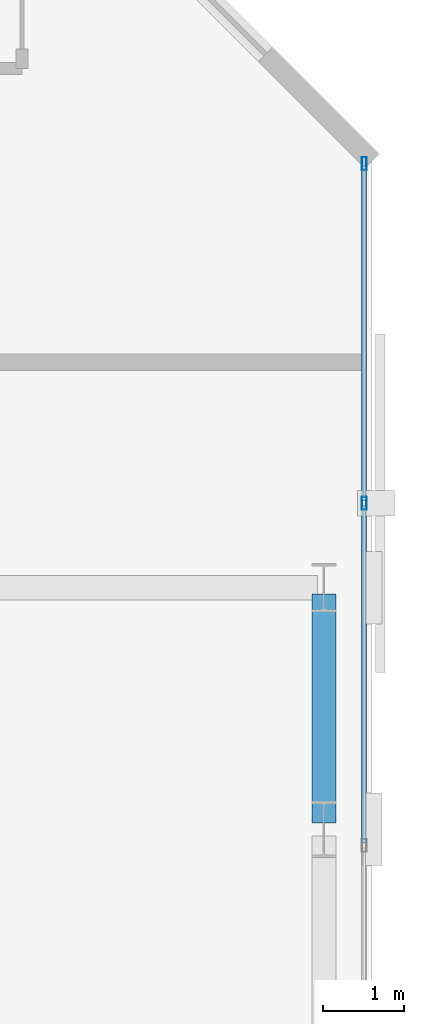
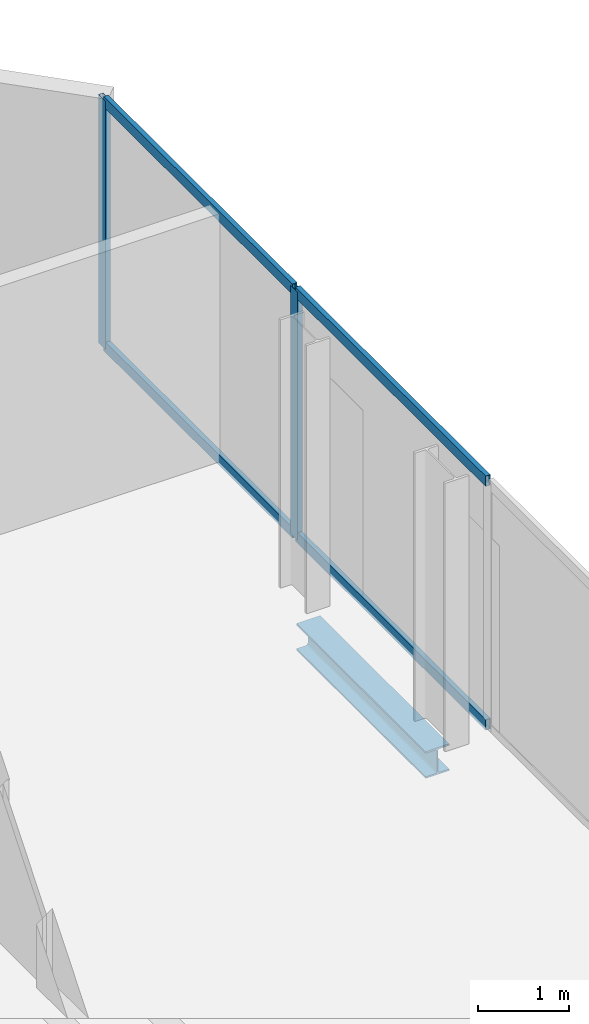
# One storey, part 26 of 33: 6 members, 1 beam, 1 element without a shape of its own.
"""IFC4 building model written with IfcOpenShell, lengths in metres."""

from ifc_helpers import new_model, si_unit, direction, frame, origin, origin_2d, place, context, subcontext, project, spatial, hollow_rectangle, i_section, extrude, material, layer, layer_set, material_profile, profile_set, type_object, element, aggregate, save


model = new_model("IFC4")

# Units and contexts
model_context = context("Model", 3, precision=1e-05, world=origin(), true_north=direction((0.0, 1.0)))
body_context = subcontext(model_context, "Body", "Model", "MODEL_VIEW")
ifc_project = project(units=[si_unit("LENGTHUNIT", "METRE"), si_unit("AREAUNIT", "SQUARE_METRE"), si_unit("VOLUMEUNIT", "CUBIC_METRE"), si_unit("PLANEANGLEUNIT", "RADIAN"), si_unit("MASSUNIT", "GRAM", prefix="KILO")], contexts=[model_context])

# Site, building, storey
site_placement = place(None, origin())
site = spatial("IfcSite", under=ifc_project, at=site_placement, CompositionType="ELEMENT")
building_placement = place(site_placement, origin())
building = spatial("IfcBuilding", under=site, at=building_placement, Name="Catumbela Crestline Tower", CompositionType="ELEMENT")
storey_placement = place(building_placement, frame((0.0, 0.0, 118.8)))
storey = spatial("IfcBuildingStorey", under=building, at=storey_placement, Name="L30", CompositionType="ELEMENT", Elevation=118.8)

# Curtain wall, members
ifc_material_1 = material(Name="Aluminium alloy AW-6060-T66", Category="aluminium")
ifc_layer = layer(ifc_material_1, 0.18, Name="Aluminium alloy AW-6060-T66")
ifc_layer_set = layer_set([ifc_layer], Name="Aluminium alloy AW-6060-T66")
curtain_wall_type = type_object("IfcCurtainWallType", Name="CWU-Z2", PredefinedType="USERDEFINED", material=ifc_layer_set)
curtain_wall_placement = place(storey_placement, origin())
curtain_wall = element("IfcCurtainWall", 1, at=curtain_wall_placement, inside=storey, type_object=curtain_wall_type, Name="L30 Unitised Curtain Wall CW-L30-E5S1", ObjectType="UNITISED", PredefinedType="USERDEFINED")
ifc_material_profile_1 = material_profile(ifc_material_1, hollow_rectangle(XDim=0.06, YDim=0.16, WallThickness=0.004, at=origin_2d()), Name="ALU 160x60x4")
ifc_profile_set_1 = profile_set([ifc_material_profile_1], Name="Aluminium alloy AW-6060-T66")
member_type_1 = type_object("IfcMemberType", Name="MUL-160X60", PredefinedType="MULLION", material=ifc_profile_set_1)
member_1_placement = place(storey_placement, frame((50.9, 40.25, 0.0), z_axis=(0.0, 0.0, 1.0), x_axis=(-1.0, 0.0, 0.0)))
member_1 = element("IfcMember", 2, at=member_1_placement, type_object=member_type_1, Name="CWU-Z2 mullion 4", PredefinedType="MULLION", context=body_context, shape_type="SweptSolid", body=[
    extrude(hollow_rectangle(XDim=0.06, YDim=0.16, WallThickness=0.004, at=origin_2d()), origin(), (0.0, 0.0, 1.0), 3.33),
])
member_2_placement = place(storey_placement, frame((50.9, 44.4675, 0.0), z_axis=(0.0, 0.0, 1.0), x_axis=(-1.0, 0.0, 0.0)))
member_2 = element("IfcMember", 3, at=member_2_placement, type_object=member_type_1, Name="CWU-Z2 mullion 5", PredefinedType="MULLION", context=body_context, shape_type="SweptSolid", body=[
    extrude(hollow_rectangle(XDim=0.06, YDim=0.16, WallThickness=0.004, at=origin_2d()), origin(), (0.0, 0.0, 1.0), 3.33),
])

# Beam
ifc_material_2 = material(Name="Structural steel S355J2", Category="steel")
ifc_material_profile_2 = material_profile(ifc_material_2, i_section(OverallWidth=0.3, OverallDepth=0.36, WebThickness=0.0125, FlangeThickness=0.0225, FilletRadius=0.027, at=origin_2d()), Name="HEB 360")
ifc_profile_set_2 = profile_set([ifc_material_profile_2], Name="Structural steel S355J2")
beam_type = type_object("IfcBeamType", Name="BS-HEB360", PredefinedType="SPANDREL", material=ifc_profile_set_2)
beam_placement = place(storey_placement, frame((50.4, 36.28, -0.44), z_axis=(0.0, 1.0, 0.0), x_axis=(-1.0, 0.0, 0.0)))
element("IfcBeam", 4, at=beam_placement, inside=storey, type_object=beam_type, Name="L30 Spandrel SP-L30-SN36", PredefinedType="SPANDREL", context=body_context, shape_type="SweptSolid", body=[
    extrude(i_section(OverallWidth=0.3, OverallDepth=0.36, WebThickness=0.0125, FlangeThickness=0.0225, FilletRadius=0.027, at=origin_2d()), origin(), (0.0, 0.0, 1.0), 2.84),
])

# Member
ifc_material_profile_3 = material_profile(ifc_material_1, hollow_rectangle(XDim=0.06, YDim=0.14, WallThickness=0.004, at=origin_2d()), Name="ALU 140x60x4")
ifc_profile_set_3 = profile_set([ifc_material_profile_3], Name="Aluminium alloy AW-6060-T66")
member_type_2 = type_object("IfcMemberType", Name="TRN-140X60", PredefinedType="USERDEFINED", material=ifc_profile_set_3)
member_3_placement = place(storey_placement, frame((50.9, 36.0325, 0.03), z_axis=(0.0, 1.0, 0.0), x_axis=(-1.0, 0.0, 0.0)))
member_3 = element("IfcMember", 5, at=member_3_placement, type_object=member_type_2, Name="CWU-Z2 transom 3.1", ObjectType="TRANSOM", PredefinedType="USERDEFINED", context=body_context, shape_type="SweptSolid", body=[
    extrude(hollow_rectangle(XDim=0.06, YDim=0.14, WallThickness=0.004, at=origin_2d()), origin(), (0.0, 0.0, 1.0), 4.185),
])

member_4_placement = place(storey_placement, frame((50.9, 36.0325, 3.3), z_axis=(0.0, 1.0, 0.0), x_axis=(-1.0, 0.0, 0.0)))
member_4 = element("IfcMember", 6, at=member_4_placement, type_object=member_type_2, Name="CWU-Z2 transom 3.2", ObjectType="TRANSOM", PredefinedType="USERDEFINED", context=body_context, shape_type="SweptSolid", body=[
    extrude(hollow_rectangle(XDim=0.06, YDim=0.14, WallThickness=0.004, at=origin_2d()), origin(), (0.0, 0.0, 1.0), 4.185),
])

member_5_placement = place(storey_placement, frame((50.9, 40.2825, 0.03), z_axis=(0.0, 1.0, 0.0), x_axis=(-1.0, 0.0, 0.0)))
member_5 = element("IfcMember", 7, at=member_5_placement, type_object=member_type_2, Name="CWU-Z2 transom 4.1", ObjectType="TRANSOM", PredefinedType="USERDEFINED", context=body_context, shape_type="SweptSolid", body=[
    extrude(hollow_rectangle(XDim=0.06, YDim=0.14, WallThickness=0.004, at=origin_2d()), origin(), (0.0, 0.0, 1.0), 4.1525),
])

member_6_placement = place(storey_placement, frame((50.9, 40.2825, 3.3), z_axis=(0.0, 1.0, 0.0), x_axis=(-1.0, 0.0, 0.0)))
member_6 = element("IfcMember", 8, at=member_6_placement, type_object=member_type_2, Name="CWU-Z2 transom 4.2", ObjectType="TRANSOM", PredefinedType="USERDEFINED", context=body_context, shape_type="SweptSolid", body=[
    extrude(hollow_rectangle(XDim=0.06, YDim=0.14, WallThickness=0.004, at=origin_2d()), origin(), (0.0, 0.0, 1.0), 4.1525),
])

aggregate(curtain_wall, [member_1, member_2, member_3, member_4, member_5, member_6])

save(model, "model.ifc")
